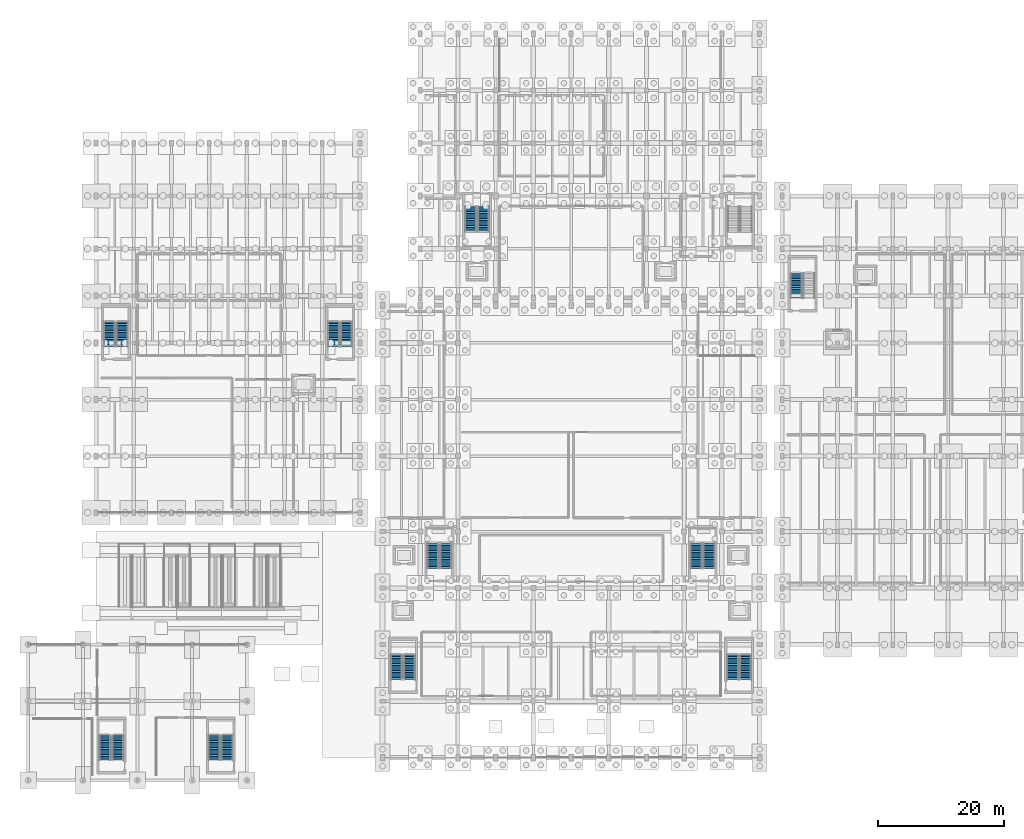
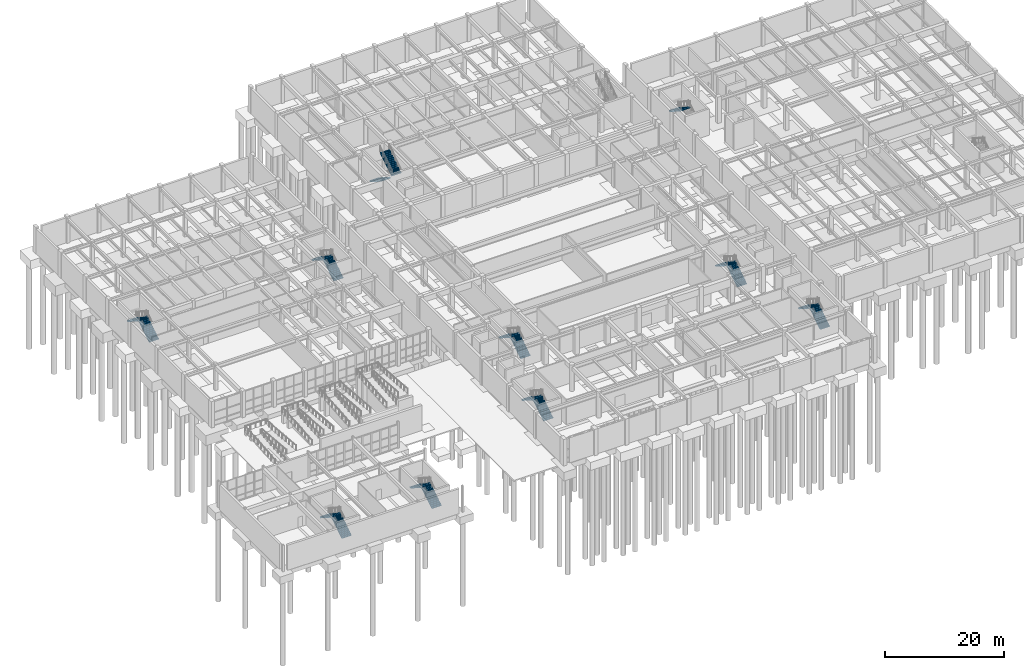
# One storey, part 57 of 69: 19 stair flights, 10 elements without a shape of their own.
"""IFC4 building model written with IfcOpenShell, lengths in metres."""

from ifc_helpers import new_model, si_unit, direction, frame, origin, place, context, subcontext, project, spatial, polyline, outline, extrude, material, type_object, element, aggregate, save


model = new_model("IFC4")

# Units and contexts
model_context = context("Model", 3, precision=1e-05, world=origin(), true_north=direction((0.0, 1.0)))
body_context = subcontext(model_context, "Body", "Model", "MODEL_VIEW")
ifc_project = project(units=[si_unit("LENGTHUNIT", "METRE"), si_unit("AREAUNIT", "SQUARE_METRE"), si_unit("VOLUMEUNIT", "CUBIC_METRE"), si_unit("PLANEANGLEUNIT", "RADIAN"), si_unit("MASSUNIT", "GRAM", prefix="KILO")], contexts=[model_context])

# Site, building, storey
site_placement = place(None, origin())
site = spatial("IfcSite", under=ifc_project, at=site_placement, CompositionType="ELEMENT")
building_placement = place(site_placement, origin())
building = spatial("IfcBuilding", under=site, at=building_placement, Name="Vaelkrest Opera House", CompositionType="ELEMENT")
storey_placement = place(building_placement, frame((0.0, 0.0, -5.39990234375)))
storey = spatial("IfcBuildingStorey", under=building, at=storey_placement, Name="B1", CompositionType="ELEMENT", Elevation=-5.39990234375)

# Stair, stair flights
ifc_material = material(Name="Concrete C40/50", Category="concrete")
stair_type_1 = type_object("IfcStairType", Name="ST01", PredefinedType="TWO_STRAIGHT_RUN_STAIR", material=ifc_material)
stair_1_placement = place(storey_placement, origin())
stair_1 = element("IfcStair", 1, at=stair_1_placement, inside=storey, type_object=stair_type_1, Name="B1 Protected exit stair ST01", PredefinedType="TWO_STRAIGHT_RUN_STAIR")
stair_flight_type = type_object("IfcStairFlightType", Name="SFL176", PredefinedType="STRAIGHT", material=ifc_material)
stair_flight_1_placement = place(storey_placement, frame((-19.925048828125, -25.64990234375, 0.0), z_axis=(0.0, 0.0, 1.0), x_axis=(0.0, 1.0, 0.0)))
stair_flight_1 = element("IfcStairFlight", 2, at=stair_flight_1_placement, type_object=stair_flight_type, Name="ST01 flight 1", NumberOfRisers=15, NumberOfTreads=14, PredefinedType="STRAIGHT", RiserHeight=0.18, TreadLength=0.28, context=body_context, shape_type="SweptSolid", body=[
    extrude(outline(polyline([(0.0, 0.0), (0.0, 0.179931640625), (0.280029296875, 0.179931640625), (0.280029296875, 0.360107421875), (0.56005859375, 0.360107421875), (0.56005859375, 0.5400390625), (0.840087890625, 0.5400390625), (0.840087890625, 0.719970703125), (1.1201171875, 0.719970703125), (1.1201171875, 0.89990234375), (1.39990234375, 0.89990234375), (1.39990234375, 1.080078125), (1.679931640625, 1.080078125), (1.679931640625, 1.260009765625), (1.9599609375, 1.260009765625), (1.9599609375, 1.43994140625), (2.239990234375, 1.43994140625), (2.239990234375, 1.6201171875), (2.52001953125, 1.6201171875), (2.52001953125, 1.800048828125), (2.800048828125, 1.800048828125), (2.800048828125, 1.97998046875), (3.080078125, 1.97998046875), (3.080078125, 2.159912109375), (3.360107421875, 2.159912109375), (3.360107421875, 2.340087890625), (3.639892578125, 2.340087890625), (3.639892578125, 2.52001953125), (3.919921875, 2.52001953125), (3.919921875, 2.699951171875), (3.919921875, 2.329833984375), (0.295654296875, 0.0), (0.0, 0.0)])), frame((0.0, 0.925048828125, 0.0), z_axis=(0.0, -1.0, 0.0), x_axis=(1.0, 0.0, 0.0)), (0.0, 0.0, 1.0), 1.85009765625),
])
stair_flight_2_placement = place(storey_placement, frame((-21.97509765625, -21.72998046875, 2.699951171875), z_axis=(0.0, 0.0, 1.0), x_axis=(0.0, -1.0, 0.0)))
stair_flight_2 = element("IfcStairFlight", 3, at=stair_flight_2_placement, type_object=stair_flight_type, Name="ST01 flight 2", NumberOfRisers=15, NumberOfTreads=14, PredefinedType="STRAIGHT", RiserHeight=0.18, TreadLength=0.28, context=body_context, shape_type="SweptSolid", body=[
    extrude(outline(polyline([(0.0, 0.0), (0.0, 0.179931640625), (0.280029296875, 0.179931640625), (0.280029296875, 0.360107421875), (0.56005859375, 0.360107421875), (0.56005859375, 0.5400390625), (0.840087890625, 0.5400390625), (0.840087890625, 0.719970703125), (1.1201171875, 0.719970703125), (1.1201171875, 0.89990234375), (1.39990234375, 0.89990234375), (1.39990234375, 1.080078125), (1.679931640625, 1.080078125), (1.679931640625, 1.260009765625), (1.9599609375, 1.260009765625), (1.9599609375, 1.43994140625), (2.239990234375, 1.43994140625), (2.239990234375, 1.6201171875), (2.52001953125, 1.6201171875), (2.52001953125, 1.800048828125), (2.800048828125, 1.800048828125), (2.800048828125, 1.97998046875), (3.080078125, 1.97998046875), (3.080078125, 2.159912109375), (3.360107421875, 2.159912109375), (3.360107421875, 2.340087890625), (3.639892578125, 2.340087890625), (3.639892578125, 2.52001953125), (3.919921875, 2.52001953125), (3.919921875, 2.699951171875), (3.919921875, 2.329833984375), (0.295654296875, 0.0), (0.0, 0.0)])), frame((0.0, 0.925048828125, 0.0), z_axis=(0.0, -1.0, 0.0), x_axis=(1.0, 0.0, 0.0)), (0.0, 0.0, 1.0), 1.85009765625),
])
aggregate(stair_1, [stair_flight_1, stair_flight_2])

stair_type_2 = type_object("IfcStairType", Name="ST02", PredefinedType="TWO_STRAIGHT_RUN_STAIR", material=ifc_material)
stair_2_placement = place(storey_placement, origin())
stair_2 = element("IfcStair", 4, at=stair_2_placement, inside=storey, type_object=stair_type_2, Name="B1 Protected exit stair ST02", PredefinedType="TWO_STRAIGHT_RUN_STAIR")
stair_flight_3_placement = place(storey_placement, frame((21.97509765625, -25.64990234375, 0.0), z_axis=(0.0, 0.0, 1.0), x_axis=(0.0, 1.0, 0.0)))
stair_flight_3 = element("IfcStairFlight", 5, at=stair_flight_3_placement, type_object=stair_flight_type, Name="ST02 flight 1", NumberOfRisers=15, NumberOfTreads=14, PredefinedType="STRAIGHT", RiserHeight=0.18, TreadLength=0.28, context=body_context, shape_type="SweptSolid", body=[
    extrude(outline(polyline([(0.0, 0.0), (0.0, 0.179931640625), (0.280029296875, 0.179931640625), (0.280029296875, 0.360107421875), (0.56005859375, 0.360107421875), (0.56005859375, 0.5400390625), (0.840087890625, 0.5400390625), (0.840087890625, 0.719970703125), (1.1201171875, 0.719970703125), (1.1201171875, 0.89990234375), (1.39990234375, 0.89990234375), (1.39990234375, 1.080078125), (1.679931640625, 1.080078125), (1.679931640625, 1.260009765625), (1.9599609375, 1.260009765625), (1.9599609375, 1.43994140625), (2.239990234375, 1.43994140625), (2.239990234375, 1.6201171875), (2.52001953125, 1.6201171875), (2.52001953125, 1.800048828125), (2.800048828125, 1.800048828125), (2.800048828125, 1.97998046875), (3.080078125, 1.97998046875), (3.080078125, 2.159912109375), (3.360107421875, 2.159912109375), (3.360107421875, 2.340087890625), (3.639892578125, 2.340087890625), (3.639892578125, 2.52001953125), (3.919921875, 2.52001953125), (3.919921875, 2.699951171875), (3.919921875, 2.329833984375), (0.295654296875, 0.0), (0.0, 0.0)])), frame((0.0, 0.925048828125, 0.0), z_axis=(0.0, -1.0, 0.0), x_axis=(1.0, 0.0, 0.0)), (0.0, 0.0, 1.0), 1.85009765625),
])
stair_flight_4_placement = place(storey_placement, frame((19.925048828125, -21.72998046875, 2.699951171875), z_axis=(0.0, 0.0, 1.0), x_axis=(0.0, -1.0, 0.0)))
stair_flight_4 = element("IfcStairFlight", 6, at=stair_flight_4_placement, type_object=stair_flight_type, Name="ST02 flight 2", NumberOfRisers=15, NumberOfTreads=14, PredefinedType="STRAIGHT", RiserHeight=0.18, TreadLength=0.28, context=body_context, shape_type="SweptSolid", body=[
    extrude(outline(polyline([(0.0, 0.0), (0.0, 0.179931640625), (0.280029296875, 0.179931640625), (0.280029296875, 0.360107421875), (0.56005859375, 0.360107421875), (0.56005859375, 0.5400390625), (0.840087890625, 0.5400390625), (0.840087890625, 0.719970703125), (1.1201171875, 0.719970703125), (1.1201171875, 0.89990234375), (1.39990234375, 0.89990234375), (1.39990234375, 1.080078125), (1.679931640625, 1.080078125), (1.679931640625, 1.260009765625), (1.9599609375, 1.260009765625), (1.9599609375, 1.43994140625), (2.239990234375, 1.43994140625), (2.239990234375, 1.6201171875), (2.52001953125, 1.6201171875), (2.52001953125, 1.800048828125), (2.800048828125, 1.800048828125), (2.800048828125, 1.97998046875), (3.080078125, 1.97998046875), (3.080078125, 2.159912109375), (3.360107421875, 2.159912109375), (3.360107421875, 2.340087890625), (3.639892578125, 2.340087890625), (3.639892578125, 2.52001953125), (3.919921875, 2.52001953125), (3.919921875, 2.699951171875), (3.919921875, 2.329833984375), (0.295654296875, 0.0), (0.0, 0.0)])), frame((0.0, 0.925048828125, 0.0), z_axis=(0.0, -1.0, 0.0), x_axis=(1.0, 0.0, 0.0)), (0.0, 0.0, 1.0), 1.85009765625),
])
aggregate(stair_2, [stair_flight_3, stair_flight_4])

stair_type_3 = type_object("IfcStairType", Name="ST03", PredefinedType="TWO_STRAIGHT_RUN_STAIR", material=ifc_material)
stair_3_placement = place(storey_placement, origin())
stair_3 = element("IfcStair", 7, at=stair_3_placement, inside=storey, type_object=stair_type_3, Name="B1 Protected exit stair ST03", PredefinedType="TWO_STRAIGHT_RUN_STAIR")
stair_flight_5_placement = place(storey_placement, frame((-25.72509765625, -43.35009765625, 0.0), z_axis=(0.0, 0.0, 1.0), x_axis=(0.0, 1.0, 0.0)))
stair_flight_5 = element("IfcStairFlight", 8, at=stair_flight_5_placement, type_object=stair_flight_type, Name="ST03 flight 1", NumberOfRisers=15, NumberOfTreads=14, PredefinedType="STRAIGHT", RiserHeight=0.18, TreadLength=0.28, context=body_context, shape_type="SweptSolid", body=[
    extrude(outline(polyline([(0.0, 0.0), (0.0, 0.179931640625), (0.280029296875, 0.179931640625), (0.280029296875, 0.360107421875), (0.56005859375, 0.360107421875), (0.56005859375, 0.5400390625), (0.840087890625, 0.5400390625), (0.840087890625, 0.719970703125), (1.1201171875, 0.719970703125), (1.1201171875, 0.89990234375), (1.39990234375, 0.89990234375), (1.39990234375, 1.080078125), (1.679931640625, 1.080078125), (1.679931640625, 1.260009765625), (1.9599609375, 1.260009765625), (1.9599609375, 1.43994140625), (2.239990234375, 1.43994140625), (2.239990234375, 1.6201171875), (2.52001953125, 1.6201171875), (2.52001953125, 1.800048828125), (2.800048828125, 1.800048828125), (2.800048828125, 1.97998046875), (3.080078125, 1.97998046875), (3.080078125, 2.159912109375), (3.360107421875, 2.159912109375), (3.360107421875, 2.340087890625), (3.639892578125, 2.340087890625), (3.639892578125, 2.52001953125), (3.919921875, 2.52001953125), (3.919921875, 2.699951171875), (3.919921875, 2.329833984375), (0.295654296875, 0.0), (0.0, 0.0)])), frame((0.0, 0.925048828125, 0.0), z_axis=(0.0, -1.0, 0.0), x_axis=(1.0, 0.0, 0.0)), (0.0, 0.0, 1.0), 1.85009765625),
])
stair_flight_6_placement = place(storey_placement, frame((-27.77490234375, -39.429931640625, 2.699951171875), z_axis=(0.0, 0.0, 1.0), x_axis=(0.0, -1.0, 0.0)))
stair_flight_6 = element("IfcStairFlight", 9, at=stair_flight_6_placement, type_object=stair_flight_type, Name="ST03 flight 2", NumberOfRisers=15, NumberOfTreads=14, PredefinedType="STRAIGHT", RiserHeight=0.18, TreadLength=0.28, context=body_context, shape_type="SweptSolid", body=[
    extrude(outline(polyline([(0.0, 0.0), (0.0, 0.179931640625), (0.280029296875, 0.179931640625), (0.280029296875, 0.360107421875), (0.56005859375, 0.360107421875), (0.56005859375, 0.5400390625), (0.840087890625, 0.5400390625), (0.840087890625, 0.719970703125), (1.1201171875, 0.719970703125), (1.1201171875, 0.89990234375), (1.39990234375, 0.89990234375), (1.39990234375, 1.080078125), (1.679931640625, 1.080078125), (1.679931640625, 1.260009765625), (1.9599609375, 1.260009765625), (1.9599609375, 1.43994140625), (2.239990234375, 1.43994140625), (2.239990234375, 1.6201171875), (2.52001953125, 1.6201171875), (2.52001953125, 1.800048828125), (2.800048828125, 1.800048828125), (2.800048828125, 1.97998046875), (3.080078125, 1.97998046875), (3.080078125, 2.159912109375), (3.360107421875, 2.159912109375), (3.360107421875, 2.340087890625), (3.639892578125, 2.340087890625), (3.639892578125, 2.52001953125), (3.919921875, 2.52001953125), (3.919921875, 2.699951171875), (3.919921875, 2.329833984375), (0.295654296875, 0.0), (0.0, 0.0)])), frame((0.0, 0.925048828125, 0.0), z_axis=(0.0, -1.0, 0.0), x_axis=(1.0, 0.0, 0.0)), (0.0, 0.0, 1.0), 1.85009765625),
])
aggregate(stair_3, [stair_flight_5, stair_flight_6])

stair_type_4 = type_object("IfcStairType", Name="ST04", PredefinedType="TWO_STRAIGHT_RUN_STAIR", material=ifc_material)
stair_4_placement = place(storey_placement, origin())
stair_4 = element("IfcStair", 10, at=stair_4_placement, inside=storey, type_object=stair_type_4, Name="B1 Protected exit stair ST04", PredefinedType="TWO_STRAIGHT_RUN_STAIR")
stair_flight_7_placement = place(storey_placement, frame((27.77490234375, -43.35009765625, 0.0), z_axis=(0.0, 0.0, 1.0), x_axis=(0.0, 1.0, 0.0)))
stair_flight_7 = element("IfcStairFlight", 11, at=stair_flight_7_placement, type_object=stair_flight_type, Name="ST04 flight 1", NumberOfRisers=15, NumberOfTreads=14, PredefinedType="STRAIGHT", RiserHeight=0.18, TreadLength=0.28, context=body_context, shape_type="SweptSolid", body=[
    extrude(outline(polyline([(0.0, 0.0), (0.0, 0.179931640625), (0.280029296875, 0.179931640625), (0.280029296875, 0.360107421875), (0.56005859375, 0.360107421875), (0.56005859375, 0.5400390625), (0.840087890625, 0.5400390625), (0.840087890625, 0.719970703125), (1.1201171875, 0.719970703125), (1.1201171875, 0.89990234375), (1.39990234375, 0.89990234375), (1.39990234375, 1.080078125), (1.679931640625, 1.080078125), (1.679931640625, 1.260009765625), (1.9599609375, 1.260009765625), (1.9599609375, 1.43994140625), (2.239990234375, 1.43994140625), (2.239990234375, 1.6201171875), (2.52001953125, 1.6201171875), (2.52001953125, 1.800048828125), (2.800048828125, 1.800048828125), (2.800048828125, 1.97998046875), (3.080078125, 1.97998046875), (3.080078125, 2.159912109375), (3.360107421875, 2.159912109375), (3.360107421875, 2.340087890625), (3.639892578125, 2.340087890625), (3.639892578125, 2.52001953125), (3.919921875, 2.52001953125), (3.919921875, 2.699951171875), (3.919921875, 2.329833984375), (0.295654296875, 0.0), (0.0, 0.0)])), frame((0.0, 0.925048828125, 0.0), z_axis=(0.0, -1.0, 0.0), x_axis=(1.0, 0.0, 0.0)), (0.0, 0.0, 1.0), 1.85009765625),
])
stair_flight_8_placement = place(storey_placement, frame((25.72509765625, -39.429931640625, 2.699951171875), z_axis=(0.0, 0.0, 1.0), x_axis=(0.0, -1.0, 0.0)))
stair_flight_8 = element("IfcStairFlight", 12, at=stair_flight_8_placement, type_object=stair_flight_type, Name="ST04 flight 2", NumberOfRisers=15, NumberOfTreads=14, PredefinedType="STRAIGHT", RiserHeight=0.18, TreadLength=0.28, context=body_context, shape_type="SweptSolid", body=[
    extrude(outline(polyline([(0.0, 0.0), (0.0, 0.179931640625), (0.280029296875, 0.179931640625), (0.280029296875, 0.360107421875), (0.56005859375, 0.360107421875), (0.56005859375, 0.5400390625), (0.840087890625, 0.5400390625), (0.840087890625, 0.719970703125), (1.1201171875, 0.719970703125), (1.1201171875, 0.89990234375), (1.39990234375, 0.89990234375), (1.39990234375, 1.080078125), (1.679931640625, 1.080078125), (1.679931640625, 1.260009765625), (1.9599609375, 1.260009765625), (1.9599609375, 1.43994140625), (2.239990234375, 1.43994140625), (2.239990234375, 1.6201171875), (2.52001953125, 1.6201171875), (2.52001953125, 1.800048828125), (2.800048828125, 1.800048828125), (2.800048828125, 1.97998046875), (3.080078125, 1.97998046875), (3.080078125, 2.159912109375), (3.360107421875, 2.159912109375), (3.360107421875, 2.340087890625), (3.639892578125, 2.340087890625), (3.639892578125, 2.52001953125), (3.919921875, 2.52001953125), (3.919921875, 2.699951171875), (3.919921875, 2.329833984375), (0.295654296875, 0.0), (0.0, 0.0)])), frame((0.0, 0.925048828125, 0.0), z_axis=(0.0, -1.0, 0.0), x_axis=(1.0, 0.0, 0.0)), (0.0, 0.0, 1.0), 1.85009765625),
])
aggregate(stair_4, [stair_flight_7, stair_flight_8])

stair_type_5 = type_object("IfcStairType", Name="ST05", PredefinedType="TWO_STRAIGHT_RUN_STAIR", material=ifc_material)
stair_5_placement = place(storey_placement, origin())
stair_5 = element("IfcStair", 13, at=stair_5_placement, inside=storey, type_object=stair_type_5, Name="B1 Protected exit stair ST05", PredefinedType="TWO_STRAIGHT_RUN_STAIR")
stair_flight_9_placement = place(storey_placement, frame((-15.97509765625, 31.949951171875, 0.0), z_axis=(0.0, 0.0, 1.0), x_axis=(0.0, -1.0, 0.0)))
stair_flight_9 = element("IfcStairFlight", 14, at=stair_flight_9_placement, type_object=stair_flight_type, Name="ST05 flight 1", NumberOfRisers=15, NumberOfTreads=14, PredefinedType="STRAIGHT", RiserHeight=0.18, TreadLength=0.28, context=body_context, shape_type="SweptSolid", body=[
    extrude(outline(polyline([(0.0, 0.0), (0.0, 0.179931640625), (0.280029296875, 0.179931640625), (0.280029296875, 0.360107421875), (0.56005859375, 0.360107421875), (0.56005859375, 0.5400390625), (0.840087890625, 0.5400390625), (0.840087890625, 0.719970703125), (1.1201171875, 0.719970703125), (1.1201171875, 0.89990234375), (1.39990234375, 0.89990234375), (1.39990234375, 1.080078125), (1.679931640625, 1.080078125), (1.679931640625, 1.260009765625), (1.9599609375, 1.260009765625), (1.9599609375, 1.43994140625), (2.239990234375, 1.43994140625), (2.239990234375, 1.6201171875), (2.52001953125, 1.6201171875), (2.52001953125, 1.800048828125), (2.800048828125, 1.800048828125), (2.800048828125, 1.97998046875), (3.080078125, 1.97998046875), (3.080078125, 2.159912109375), (3.360107421875, 2.159912109375), (3.360107421875, 2.340087890625), (3.639892578125, 2.340087890625), (3.639892578125, 2.52001953125), (3.919921875, 2.52001953125), (3.919921875, 2.699951171875), (3.919921875, 2.329833984375), (0.295654296875, 0.0), (0.0, 0.0)])), frame((0.0, 0.925048828125, 0.0), z_axis=(0.0, -1.0, 0.0), x_axis=(1.0, 0.0, 0.0)), (0.0, 0.0, 1.0), 1.85009765625),
])
stair_flight_10_placement = place(storey_placement, frame((-13.925048828125, 28.030029296875, 2.699951171875), z_axis=(0.0, 0.0, 1.0), x_axis=(0.0, 1.0, 0.0)))
stair_flight_10 = element("IfcStairFlight", 15, at=stair_flight_10_placement, type_object=stair_flight_type, Name="ST05 flight 2", NumberOfRisers=15, NumberOfTreads=14, PredefinedType="STRAIGHT", RiserHeight=0.18, TreadLength=0.28, context=body_context, shape_type="SweptSolid", body=[
    extrude(outline(polyline([(0.0, 0.0), (0.0, 0.179931640625), (0.280029296875, 0.179931640625), (0.280029296875, 0.360107421875), (0.56005859375, 0.360107421875), (0.56005859375, 0.5400390625), (0.840087890625, 0.5400390625), (0.840087890625, 0.719970703125), (1.1201171875, 0.719970703125), (1.1201171875, 0.89990234375), (1.39990234375, 0.89990234375), (1.39990234375, 1.080078125), (1.679931640625, 1.080078125), (1.679931640625, 1.260009765625), (1.9599609375, 1.260009765625), (1.9599609375, 1.43994140625), (2.239990234375, 1.43994140625), (2.239990234375, 1.6201171875), (2.52001953125, 1.6201171875), (2.52001953125, 1.800048828125), (2.800048828125, 1.800048828125), (2.800048828125, 1.97998046875), (3.080078125, 1.97998046875), (3.080078125, 2.159912109375), (3.360107421875, 2.159912109375), (3.360107421875, 2.340087890625), (3.639892578125, 2.340087890625), (3.639892578125, 2.52001953125), (3.919921875, 2.52001953125), (3.919921875, 2.699951171875), (3.919921875, 2.329833984375), (0.295654296875, 0.0), (0.0, 0.0)])), frame((0.0, 0.925048828125, 0.0), z_axis=(0.0, -1.0, 0.0), x_axis=(1.0, 0.0, 0.0)), (0.0, 0.0, 1.0), 1.85009765625),
])
aggregate(stair_5, [stair_flight_9, stair_flight_10])

stair_type_6 = type_object("IfcStairType", Name="ST07", PredefinedType="TWO_STRAIGHT_RUN_STAIR", material=ifc_material)
stair_6_placement = place(storey_placement, origin())
stair_6 = element("IfcStair", 16, at=stair_6_placement, inside=storey, type_object=stair_type_6, Name="B1 Protected exit stair ST07", PredefinedType="TWO_STRAIGHT_RUN_STAIR")
stair_flight_11_placement = place(storey_placement, frame((-71.425048828125, 9.64990234375, 0.0), z_axis=(0.0, 0.0, 1.0), x_axis=(0.0, 1.0, 0.0)))
stair_flight_11 = element("IfcStairFlight", 17, at=stair_flight_11_placement, type_object=stair_flight_type, Name="ST07 flight 1", NumberOfRisers=15, NumberOfTreads=14, PredefinedType="STRAIGHT", RiserHeight=0.18, TreadLength=0.28, context=body_context, shape_type="SweptSolid", body=[
    extrude(outline(polyline([(0.0, 0.0), (0.0, 0.179931640625), (0.280029296875, 0.179931640625), (0.280029296875, 0.360107421875), (0.56005859375, 0.360107421875), (0.56005859375, 0.5400390625), (0.840087890625, 0.5400390625), (0.840087890625, 0.719970703125), (1.1201171875, 0.719970703125), (1.1201171875, 0.89990234375), (1.39990234375, 0.89990234375), (1.39990234375, 1.080078125), (1.679931640625, 1.080078125), (1.679931640625, 1.260009765625), (1.9599609375, 1.260009765625), (1.9599609375, 1.43994140625), (2.239990234375, 1.43994140625), (2.239990234375, 1.6201171875), (2.52001953125, 1.6201171875), (2.52001953125, 1.800048828125), (2.800048828125, 1.800048828125), (2.800048828125, 1.97998046875), (3.080078125, 1.97998046875), (3.080078125, 2.159912109375), (3.360107421875, 2.159912109375), (3.360107421875, 2.340087890625), (3.639892578125, 2.340087890625), (3.639892578125, 2.52001953125), (3.919921875, 2.52001953125), (3.919921875, 2.699951171875), (3.919921875, 2.329833984375), (0.295654296875, 0.0), (0.0, 0.0)])), frame((0.0, 0.925048828125, 0.0), z_axis=(0.0, -1.0, 0.0), x_axis=(1.0, 0.0, 0.0)), (0.0, 0.0, 1.0), 1.85009765625),
])
stair_flight_12_placement = place(storey_placement, frame((-73.47509765625, 13.570068359375, 2.699951171875), z_axis=(0.0, 0.0, 1.0), x_axis=(0.0, -1.0, 0.0)))
stair_flight_12 = element("IfcStairFlight", 18, at=stair_flight_12_placement, type_object=stair_flight_type, Name="ST07 flight 2", NumberOfRisers=15, NumberOfTreads=14, PredefinedType="STRAIGHT", RiserHeight=0.18, TreadLength=0.28, context=body_context, shape_type="SweptSolid", body=[
    extrude(outline(polyline([(0.0, 0.0), (0.0, 0.179931640625), (0.280029296875, 0.179931640625), (0.280029296875, 0.360107421875), (0.56005859375, 0.360107421875), (0.56005859375, 0.5400390625), (0.840087890625, 0.5400390625), (0.840087890625, 0.719970703125), (1.1201171875, 0.719970703125), (1.1201171875, 0.89990234375), (1.39990234375, 0.89990234375), (1.39990234375, 1.080078125), (1.679931640625, 1.080078125), (1.679931640625, 1.260009765625), (1.9599609375, 1.260009765625), (1.9599609375, 1.43994140625), (2.239990234375, 1.43994140625), (2.239990234375, 1.6201171875), (2.52001953125, 1.6201171875), (2.52001953125, 1.800048828125), (2.800048828125, 1.800048828125), (2.800048828125, 1.97998046875), (3.080078125, 1.97998046875), (3.080078125, 2.159912109375), (3.360107421875, 2.159912109375), (3.360107421875, 2.340087890625), (3.639892578125, 2.340087890625), (3.639892578125, 2.52001953125), (3.919921875, 2.52001953125), (3.919921875, 2.699951171875), (3.919921875, 2.329833984375), (0.295654296875, 0.0), (0.0, 0.0)])), frame((0.0, 0.925048828125, 0.0), z_axis=(0.0, -1.0, 0.0), x_axis=(1.0, 0.0, 0.0)), (0.0, 0.0, 1.0), 1.85009765625),
])
aggregate(stair_6, [stair_flight_11, stair_flight_12])

stair_type_7 = type_object("IfcStairType", Name="ST08", PredefinedType="TWO_STRAIGHT_RUN_STAIR", material=ifc_material)
stair_7_placement = place(storey_placement, origin())
stair_7 = element("IfcStair", 19, at=stair_7_placement, inside=storey, type_object=stair_type_7, Name="B1 Protected exit stair ST08", PredefinedType="TWO_STRAIGHT_RUN_STAIR")
stair_flight_13_placement = place(storey_placement, frame((-35.72509765625, 9.64990234375, 0.0), z_axis=(0.0, 0.0, 1.0), x_axis=(0.0, 1.0, 0.0)))
stair_flight_13 = element("IfcStairFlight", 20, at=stair_flight_13_placement, type_object=stair_flight_type, Name="ST08 flight 1", NumberOfRisers=15, NumberOfTreads=14, PredefinedType="STRAIGHT", RiserHeight=0.18, TreadLength=0.28, context=body_context, shape_type="SweptSolid", body=[
    extrude(outline(polyline([(0.0, 0.0), (0.0, 0.179931640625), (0.280029296875, 0.179931640625), (0.280029296875, 0.360107421875), (0.56005859375, 0.360107421875), (0.56005859375, 0.5400390625), (0.840087890625, 0.5400390625), (0.840087890625, 0.719970703125), (1.1201171875, 0.719970703125), (1.1201171875, 0.89990234375), (1.39990234375, 0.89990234375), (1.39990234375, 1.080078125), (1.679931640625, 1.080078125), (1.679931640625, 1.260009765625), (1.9599609375, 1.260009765625), (1.9599609375, 1.43994140625), (2.239990234375, 1.43994140625), (2.239990234375, 1.6201171875), (2.52001953125, 1.6201171875), (2.52001953125, 1.800048828125), (2.800048828125, 1.800048828125), (2.800048828125, 1.97998046875), (3.080078125, 1.97998046875), (3.080078125, 2.159912109375), (3.360107421875, 2.159912109375), (3.360107421875, 2.340087890625), (3.639892578125, 2.340087890625), (3.639892578125, 2.52001953125), (3.919921875, 2.52001953125), (3.919921875, 2.699951171875), (3.919921875, 2.329833984375), (0.295654296875, 0.0), (0.0, 0.0)])), frame((0.0, 0.925048828125, 0.0), z_axis=(0.0, -1.0, 0.0), x_axis=(1.0, 0.0, 0.0)), (0.0, 0.0, 1.0), 1.85009765625),
])
stair_flight_14_placement = place(storey_placement, frame((-37.77490234375, 13.570068359375, 2.699951171875), z_axis=(0.0, 0.0, 1.0), x_axis=(0.0, -1.0, 0.0)))
stair_flight_14 = element("IfcStairFlight", 21, at=stair_flight_14_placement, type_object=stair_flight_type, Name="ST08 flight 2", NumberOfRisers=15, NumberOfTreads=14, PredefinedType="STRAIGHT", RiserHeight=0.18, TreadLength=0.28, context=body_context, shape_type="SweptSolid", body=[
    extrude(outline(polyline([(0.0, 0.0), (0.0, 0.179931640625), (0.280029296875, 0.179931640625), (0.280029296875, 0.360107421875), (0.56005859375, 0.360107421875), (0.56005859375, 0.5400390625), (0.840087890625, 0.5400390625), (0.840087890625, 0.719970703125), (1.1201171875, 0.719970703125), (1.1201171875, 0.89990234375), (1.39990234375, 0.89990234375), (1.39990234375, 1.080078125), (1.679931640625, 1.080078125), (1.679931640625, 1.260009765625), (1.9599609375, 1.260009765625), (1.9599609375, 1.43994140625), (2.239990234375, 1.43994140625), (2.239990234375, 1.6201171875), (2.52001953125, 1.6201171875), (2.52001953125, 1.800048828125), (2.800048828125, 1.800048828125), (2.800048828125, 1.97998046875), (3.080078125, 1.97998046875), (3.080078125, 2.159912109375), (3.360107421875, 2.159912109375), (3.360107421875, 2.340087890625), (3.639892578125, 2.340087890625), (3.639892578125, 2.52001953125), (3.919921875, 2.52001953125), (3.919921875, 2.699951171875), (3.919921875, 2.329833984375), (0.295654296875, 0.0), (0.0, 0.0)])), frame((0.0, 0.925048828125, 0.0), z_axis=(0.0, -1.0, 0.0), x_axis=(1.0, 0.0, 0.0)), (0.0, 0.0, 1.0), 1.85009765625),
])
aggregate(stair_7, [stair_flight_13, stair_flight_14])

# Stair, stair flight
stair_type_8 = type_object("IfcStairType", Name="ST09", PredefinedType="TWO_STRAIGHT_RUN_STAIR", material=ifc_material)
stair_8_placement = place(storey_placement, origin())
stair_8 = element("IfcStair", 22, at=stair_8_placement, inside=storey, type_object=stair_type_8, Name="B1 Protected exit stair ST09", PredefinedType="TWO_STRAIGHT_RUN_STAIR")
stair_flight_15_placement = place(storey_placement, frame((35.824951171875, 21.27001953125, 2.699951171875), z_axis=(0.0, 0.0, 1.0), x_axis=(0.0, -1.0, 0.0)))
stair_flight_15 = element("IfcStairFlight", 23, at=stair_flight_15_placement, type_object=stair_flight_type, Name="ST09 flight 2", NumberOfRisers=15, NumberOfTreads=14, PredefinedType="STRAIGHT", RiserHeight=0.18, TreadLength=0.28, context=body_context, shape_type="SweptSolid", body=[
    extrude(outline(polyline([(0.0, 0.0), (0.0, 0.179931640625), (0.280029296875, 0.179931640625), (0.280029296875, 0.360107421875), (0.56005859375, 0.360107421875), (0.56005859375, 0.5400390625), (0.840087890625, 0.5400390625), (0.840087890625, 0.719970703125), (1.1201171875, 0.719970703125), (1.1201171875, 0.89990234375), (1.39990234375, 0.89990234375), (1.39990234375, 1.080078125), (1.679931640625, 1.080078125), (1.679931640625, 1.260009765625), (1.9599609375, 1.260009765625), (1.9599609375, 1.43994140625), (2.239990234375, 1.43994140625), (2.239990234375, 1.6201171875), (2.52001953125, 1.6201171875), (2.52001953125, 1.800048828125), (2.800048828125, 1.800048828125), (2.800048828125, 1.97998046875), (3.080078125, 1.97998046875), (3.080078125, 2.159912109375), (3.360107421875, 2.159912109375), (3.360107421875, 2.340087890625), (3.639892578125, 2.340087890625), (3.639892578125, 2.52001953125), (3.919921875, 2.52001953125), (3.919921875, 2.699951171875), (3.919921875, 2.329833984375), (0.295654296875, 0.0), (0.0, 0.0)])), frame((0.0, 0.925048828125, 0.0), z_axis=(0.0, -1.0, 0.0), x_axis=(1.0, 0.0, 0.0)), (0.0, 0.0, 1.0), 1.85009765625),
])
aggregate(stair_8, [stair_flight_15])

# Stair, stair flights
stair_type_9 = type_object("IfcStairType", Name="ST11", PredefinedType="TWO_STRAIGHT_RUN_STAIR", material=ifc_material)
stair_9_placement = place(storey_placement, origin())
stair_9 = element("IfcStair", 24, at=stair_9_placement, inside=storey, type_object=stair_type_9, Name="B1 Protected exit stair ST11", PredefinedType="TWO_STRAIGHT_RUN_STAIR")
stair_flight_16_placement = place(storey_placement, frame((-72.125, -56.14990234375, 0.0), z_axis=(0.0, 0.0, 1.0), x_axis=(0.0, 1.0, 0.0)))
stair_flight_16 = element("IfcStairFlight", 25, at=stair_flight_16_placement, type_object=stair_flight_type, Name="ST11 flight 1", NumberOfRisers=15, NumberOfTreads=14, PredefinedType="STRAIGHT", RiserHeight=0.18, TreadLength=0.28, context=body_context, shape_type="SweptSolid", body=[
    extrude(outline(polyline([(0.0, 0.0), (0.0, 0.179931640625), (0.280029296875, 0.179931640625), (0.280029296875, 0.360107421875), (0.56005859375, 0.360107421875), (0.56005859375, 0.5400390625), (0.840087890625, 0.5400390625), (0.840087890625, 0.719970703125), (1.1201171875, 0.719970703125), (1.1201171875, 0.89990234375), (1.39990234375, 0.89990234375), (1.39990234375, 1.080078125), (1.679931640625, 1.080078125), (1.679931640625, 1.260009765625), (1.9599609375, 1.260009765625), (1.9599609375, 1.43994140625), (2.239990234375, 1.43994140625), (2.239990234375, 1.6201171875), (2.52001953125, 1.6201171875), (2.52001953125, 1.800048828125), (2.800048828125, 1.800048828125), (2.800048828125, 1.97998046875), (3.080078125, 1.97998046875), (3.080078125, 2.159912109375), (3.360107421875, 2.159912109375), (3.360107421875, 2.340087890625), (3.639892578125, 2.340087890625), (3.639892578125, 2.52001953125), (3.919921875, 2.52001953125), (3.919921875, 2.699951171875), (3.919921875, 2.329833984375), (0.295654296875, 0.0), (0.0, 0.0)])), frame((0.0, 0.925048828125, 0.0), z_axis=(0.0, -1.0, 0.0), x_axis=(1.0, 0.0, 0.0)), (0.0, 0.0, 1.0), 1.85009765625),
])
stair_flight_17_placement = place(storey_placement, frame((-74.175048828125, -52.22998046875, 2.699951171875), z_axis=(0.0, 0.0, 1.0), x_axis=(0.0, -1.0, 0.0)))
stair_flight_17 = element("IfcStairFlight", 26, at=stair_flight_17_placement, type_object=stair_flight_type, Name="ST11 flight 2", NumberOfRisers=15, NumberOfTreads=14, PredefinedType="STRAIGHT", RiserHeight=0.18, TreadLength=0.28, context=body_context, shape_type="SweptSolid", body=[
    extrude(outline(polyline([(0.0, 0.0), (0.0, 0.179931640625), (0.280029296875, 0.179931640625), (0.280029296875, 0.360107421875), (0.56005859375, 0.360107421875), (0.56005859375, 0.5400390625), (0.840087890625, 0.5400390625), (0.840087890625, 0.719970703125), (1.1201171875, 0.719970703125), (1.1201171875, 0.89990234375), (1.39990234375, 0.89990234375), (1.39990234375, 1.080078125), (1.679931640625, 1.080078125), (1.679931640625, 1.260009765625), (1.9599609375, 1.260009765625), (1.9599609375, 1.43994140625), (2.239990234375, 1.43994140625), (2.239990234375, 1.6201171875), (2.52001953125, 1.6201171875), (2.52001953125, 1.800048828125), (2.800048828125, 1.800048828125), (2.800048828125, 1.97998046875), (3.080078125, 1.97998046875), (3.080078125, 2.159912109375), (3.360107421875, 2.159912109375), (3.360107421875, 2.340087890625), (3.639892578125, 2.340087890625), (3.639892578125, 2.52001953125), (3.919921875, 2.52001953125), (3.919921875, 2.699951171875), (3.919921875, 2.329833984375), (0.295654296875, 0.0), (0.0, 0.0)])), frame((0.0, 0.925048828125, 0.0), z_axis=(0.0, -1.0, 0.0), x_axis=(1.0, 0.0, 0.0)), (0.0, 0.0, 1.0), 1.85009765625),
])
aggregate(stair_9, [stair_flight_16, stair_flight_17])

stair_type_10 = type_object("IfcStairType", Name="ST12", PredefinedType="TWO_STRAIGHT_RUN_STAIR", material=ifc_material)
stair_10_placement = place(storey_placement, origin())
stair_10 = element("IfcStair", 27, at=stair_10_placement, inside=storey, type_object=stair_type_10, Name="B1 Protected exit stair ST12", PredefinedType="TWO_STRAIGHT_RUN_STAIR")
stair_flight_18_placement = place(storey_placement, frame((-54.72509765625, -56.14990234375, 0.0), z_axis=(0.0, 0.0, 1.0), x_axis=(0.0, 1.0, 0.0)))
stair_flight_18 = element("IfcStairFlight", 28, at=stair_flight_18_placement, type_object=stair_flight_type, Name="ST12 flight 1", NumberOfRisers=15, NumberOfTreads=14, PredefinedType="STRAIGHT", RiserHeight=0.18, TreadLength=0.28, context=body_context, shape_type="SweptSolid", body=[
    extrude(outline(polyline([(0.0, 0.0), (0.0, 0.179931640625), (0.280029296875, 0.179931640625), (0.280029296875, 0.360107421875), (0.56005859375, 0.360107421875), (0.56005859375, 0.5400390625), (0.840087890625, 0.5400390625), (0.840087890625, 0.719970703125), (1.1201171875, 0.719970703125), (1.1201171875, 0.89990234375), (1.39990234375, 0.89990234375), (1.39990234375, 1.080078125), (1.679931640625, 1.080078125), (1.679931640625, 1.260009765625), (1.9599609375, 1.260009765625), (1.9599609375, 1.43994140625), (2.239990234375, 1.43994140625), (2.239990234375, 1.6201171875), (2.52001953125, 1.6201171875), (2.52001953125, 1.800048828125), (2.800048828125, 1.800048828125), (2.800048828125, 1.97998046875), (3.080078125, 1.97998046875), (3.080078125, 2.159912109375), (3.360107421875, 2.159912109375), (3.360107421875, 2.340087890625), (3.639892578125, 2.340087890625), (3.639892578125, 2.52001953125), (3.919921875, 2.52001953125), (3.919921875, 2.699951171875), (3.919921875, 2.329833984375), (0.295654296875, 0.0), (0.0, 0.0)])), frame((0.0, 0.925048828125, 0.0), z_axis=(0.0, -1.0, 0.0), x_axis=(1.0, 0.0, 0.0)), (0.0, 0.0, 1.0), 1.85009765625),
])
stair_flight_19_placement = place(storey_placement, frame((-56.77490234375, -52.22998046875, 2.699951171875), z_axis=(0.0, 0.0, 1.0), x_axis=(0.0, -1.0, 0.0)))
stair_flight_19 = element("IfcStairFlight", 29, at=stair_flight_19_placement, type_object=stair_flight_type, Name="ST12 flight 2", NumberOfRisers=15, NumberOfTreads=14, PredefinedType="STRAIGHT", RiserHeight=0.18, TreadLength=0.28, context=body_context, shape_type="SweptSolid", body=[
    extrude(outline(polyline([(0.0, 0.0), (0.0, 0.179931640625), (0.280029296875, 0.179931640625), (0.280029296875, 0.360107421875), (0.56005859375, 0.360107421875), (0.56005859375, 0.5400390625), (0.840087890625, 0.5400390625), (0.840087890625, 0.719970703125), (1.1201171875, 0.719970703125), (1.1201171875, 0.89990234375), (1.39990234375, 0.89990234375), (1.39990234375, 1.080078125), (1.679931640625, 1.080078125), (1.679931640625, 1.260009765625), (1.9599609375, 1.260009765625), (1.9599609375, 1.43994140625), (2.239990234375, 1.43994140625), (2.239990234375, 1.6201171875), (2.52001953125, 1.6201171875), (2.52001953125, 1.800048828125), (2.800048828125, 1.800048828125), (2.800048828125, 1.97998046875), (3.080078125, 1.97998046875), (3.080078125, 2.159912109375), (3.360107421875, 2.159912109375), (3.360107421875, 2.340087890625), (3.639892578125, 2.340087890625), (3.639892578125, 2.52001953125), (3.919921875, 2.52001953125), (3.919921875, 2.699951171875), (3.919921875, 2.329833984375), (0.295654296875, 0.0), (0.0, 0.0)])), frame((0.0, 0.925048828125, 0.0), z_axis=(0.0, -1.0, 0.0), x_axis=(1.0, 0.0, 0.0)), (0.0, 0.0, 1.0), 1.85009765625),
])
aggregate(stair_10, [stair_flight_18, stair_flight_19])

save(model, "model.ifc")
